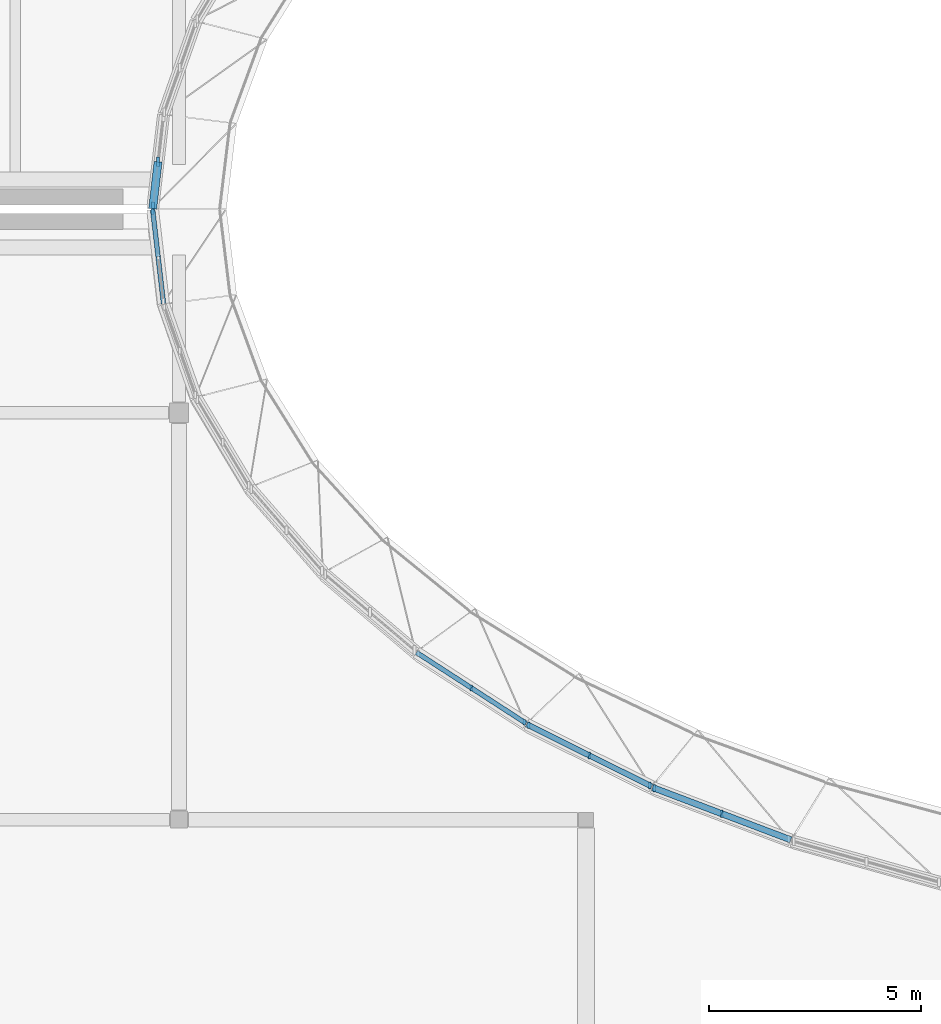
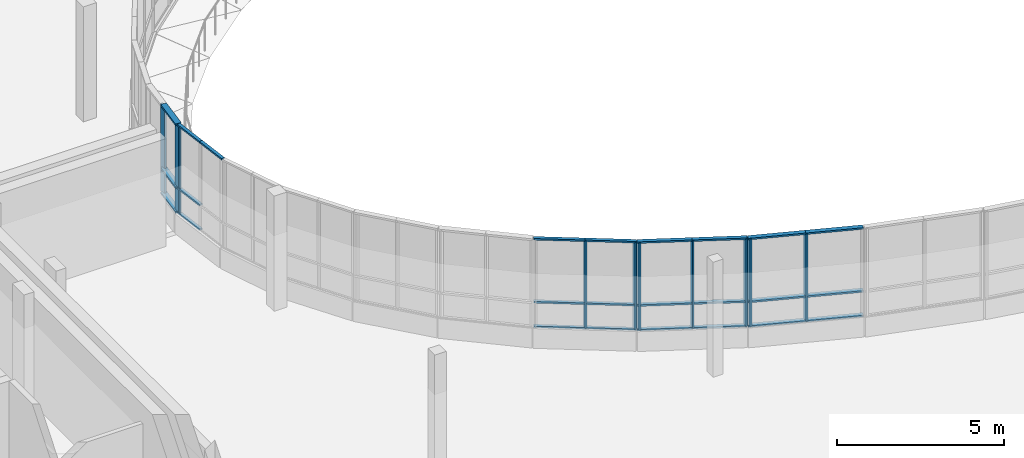
# One storey, part 12 of 73: 35 members, 5 elements without a shape of their own.
"""IFC4 building model written with IfcOpenShell, lengths in metres."""

from ifc_helpers import new_model, si_unit, direction, frame, origin, origin_2d, place, context, subcontext, project, spatial, rectangle, extrude, material, material_profile, profile_set, type_object, element, aggregate, save


model = new_model("IFC4")

# Units and contexts
model_context = context("Model", 3, precision=1e-05, world=origin(), true_north=direction((0.0, 1.0)))
body_context = subcontext(model_context, "Body", "Model", "MODEL_VIEW")
ifc_project = project(units=[si_unit("LENGTHUNIT", "METRE"), si_unit("AREAUNIT", "SQUARE_METRE"), si_unit("VOLUMEUNIT", "CUBIC_METRE"), si_unit("PLANEANGLEUNIT", "RADIAN"), si_unit("MASSUNIT", "GRAM", prefix="KILO")], contexts=[model_context])

# Site, building, storey
site_placement = place(None, origin())
site = spatial("IfcSite", under=ifc_project, at=site_placement, CompositionType="ELEMENT")
building_placement = place(site_placement, origin())
building = spatial("IfcBuilding", under=site, at=building_placement, Name="Mzevani Central Library", CompositionType="ELEMENT")
storey_placement = place(building_placement, frame((0.0, 0.0, 9.60009765625)))
storey = spatial("IfcBuildingStorey", under=building, at=storey_placement, Name="L02", CompositionType="ELEMENT", Elevation=9.60009765625)

# Curtain wall, member
ifc_material_1 = material(Name="Thermally broken aluminium and Low-E triple glazing", Category="aluminium")
curtain_wall_type_1 = type_object("IfcCurtainWallType", Name="Reading Hall Northlight Curtain Wall", PredefinedType="NOTDEFINED", material=ifc_material_1)
curtain_wall_1_placement = place(storey_placement, origin())
curtain_wall_1 = element("IfcCurtainWall", 1, at=curtain_wall_1_placement, inside=storey, type_object=curtain_wall_type_1, Name="L02 Elliptical Court Curtain Wall 25", PredefinedType="NOTDEFINED")
ifc_material_2 = material(Name="Thermally broken aluminium AW-6060", Category="aluminium")
ifc_material_profile_1 = material_profile(ifc_material_2, rectangle(XDim=0.06005859375, YDim=0.139892578125, at=origin_2d()), Name="ALU M60x140")
ifc_profile_set_1 = profile_set([ifc_material_profile_1], Name="Thermally broken aluminium AW-6060")
member_type_1 = type_object("IfcMemberType", Name="CW Mullion 60x140", PredefinedType="MULLION", material=ifc_profile_set_1)
member_1_placement = place(storey_placement, frame((53.785888671875, 75.942138671875, 0.719970703125), z_axis=(0.0, 0.0, 1.0), x_axis=(1.0, 0.0, 0.0)))
member_1 = element("IfcMember", 2, at=member_1_placement, type_object=member_type_1, Name="L02 Elliptical Court Curtain Wall 25 Mullion 1", PredefinedType="MULLION", context=body_context, shape_type="SweptSolid", body=[
    extrude(rectangle(XDim=0.06005859375, YDim=0.139892578125, at=origin_2d()), origin(), (0.0, 0.0, 1.0), 3.199951171875),
])

# Curtain wall, members
curtain_wall_type_2 = type_object("IfcCurtainWallType", Name="Elliptical Court Unitised Curtain Wall", PredefinedType="NOTDEFINED", material=ifc_material_1)
curtain_wall_2_placement = place(storey_placement, origin())
curtain_wall_2 = element("IfcCurtainWall", 3, at=curtain_wall_2_placement, inside=storey, type_object=curtain_wall_type_2, Name="L02 Elliptical Court Curtain Wall 30", PredefinedType="NOTDEFINED")
member_2_placement = place(storey_placement, frame((61.296142578125, 64.708984375, 0.719970703125), z_axis=(0.0, 0.0, 1.0), x_axis=(1.0, 0.0, 0.0)))
member_2 = element("IfcMember", 4, at=member_2_placement, type_object=member_type_1, Name="L02 Elliptical Court Curtain Wall 30 Mullion 2", PredefinedType="MULLION", context=body_context, shape_type="SweptSolid", body=[
    extrude(rectangle(XDim=0.06005859375, YDim=0.139892578125, at=origin_2d()), origin(), (0.0, 0.0, 1.0), 3.199951171875),
])
member_3_placement = place(storey_placement, frame((62.5478515625, 63.899658203125, 0.719970703125), z_axis=(0.0, 0.0, 1.0), x_axis=(1.0, 0.0, 0.0)))
member_3 = element("IfcMember", 5, at=member_3_placement, type_object=member_type_1, Name="L02 Elliptical Court Curtain Wall 30 Mullion 3", PredefinedType="MULLION", context=body_context, shape_type="SweptSolid", body=[
    extrude(rectangle(XDim=0.06005859375, YDim=0.139892578125, at=origin_2d()), origin(), (0.0, 0.0, 1.0), 3.199951171875),
])

curtain_wall_3_placement = place(storey_placement, origin())
curtain_wall_3 = element("IfcCurtainWall", 6, at=curtain_wall_3_placement, inside=storey, type_object=curtain_wall_type_1, Name="L02 Elliptical Court Curtain Wall 31", PredefinedType="NOTDEFINED")
ifc_material_profile_2 = material_profile(ifc_material_2, rectangle(XDim=0.06005859375, YDim=0.159912109375, at=origin_2d()), Name="ALU M60x160")
ifc_profile_set_2 = profile_set([ifc_material_profile_2], Name="Thermally broken aluminium AW-6060")
member_type_2 = type_object("IfcMemberType", Name="CW Mullion 60x160", PredefinedType="MULLION", material=ifc_profile_set_2)
member_4_placement = place(storey_placement, frame((62.64697265625, 63.828857421875, 0.719970703125), z_axis=(0.0, 0.0, 1.0), x_axis=(1.0, 0.0, 0.0)))
member_4 = element("IfcMember", 7, at=member_4_placement, type_object=member_type_2, Name="L02 Elliptical Court Curtain Wall 31 Mullion 1", PredefinedType="MULLION", context=body_context, shape_type="SweptSolid", body=[
    extrude(rectangle(XDim=0.06005859375, YDim=0.159912109375, at=origin_2d()), origin(), (0.0, 0.0, 1.0), 3.199951171875),
])
member_5_placement = place(storey_placement, frame((64.0771484375, 63.117431640625, 0.719970703125), z_axis=(0.0, 0.0, 1.0), x_axis=(1.0, 0.0, 0.0)))
member_5 = element("IfcMember", 8, at=member_5_placement, type_object=member_type_2, Name="L02 Elliptical Court Curtain Wall 31 Mullion 2", PredefinedType="MULLION", context=body_context, shape_type="SweptSolid", body=[
    extrude(rectangle(XDim=0.06005859375, YDim=0.159912109375, at=origin_2d()), origin(), (0.0, 0.0, 1.0), 3.199951171875),
])
member_6_placement = place(storey_placement, frame((65.507568359375, 62.406005859375, 0.719970703125), z_axis=(0.0, 0.0, 1.0), x_axis=(1.0, 0.0, 0.0)))
member_6 = element("IfcMember", 9, at=member_6_placement, type_object=member_type_2, Name="L02 Elliptical Court Curtain Wall 31 Mullion 3", PredefinedType="MULLION", context=body_context, shape_type="SweptSolid", body=[
    extrude(rectangle(XDim=0.06005859375, YDim=0.159912109375, at=origin_2d()), origin(), (0.0, 0.0, 1.0), 3.199951171875),
])

curtain_wall_4_placement = place(storey_placement, origin())
curtain_wall_4 = element("IfcCurtainWall", 10, at=curtain_wall_4_placement, inside=storey, type_object=curtain_wall_type_2, Name="L02 Elliptical Court Curtain Wall 32", PredefinedType="NOTDEFINED")
ifc_material_profile_3 = material_profile(ifc_material_2, rectangle(XDim=0.06005859375, YDim=0.179931640625, at=origin_2d()), Name="ALU M60x180")
ifc_profile_set_3 = profile_set([ifc_material_profile_3], Name="Thermally broken aluminium AW-6060")
member_type_3 = type_object("IfcMemberType", Name="CW Mullion 60x180", PredefinedType="MULLION", material=ifc_profile_set_3)
member_7_placement = place(storey_placement, frame((65.6162109375, 62.34326171875, 0.719970703125), z_axis=(0.0, 0.0, 1.0), x_axis=(1.0, 0.0, 0.0)))
member_7 = element("IfcMember", 11, at=member_7_placement, type_object=member_type_3, Name="L02 Elliptical Court Curtain Wall 32 Mullion 1", PredefinedType="MULLION", context=body_context, shape_type="SweptSolid", body=[
    extrude(rectangle(XDim=0.06005859375, YDim=0.179931640625, at=origin_2d()), origin(), (0.0, 0.0, 1.0), 3.199951171875),
])
member_8_placement = place(storey_placement, frame((67.200927734375, 61.74267578125, 0.719970703125), z_axis=(0.0, 0.0, 1.0), x_axis=(1.0, 0.0, 0.0)))
member_8 = element("IfcMember", 12, at=member_8_placement, type_object=member_type_3, Name="L02 Elliptical Court Curtain Wall 32 Mullion 2", PredefinedType="MULLION", context=body_context, shape_type="SweptSolid", body=[
    extrude(rectangle(XDim=0.06005859375, YDim=0.179931640625, at=origin_2d()), origin(), (0.0, 0.0, 1.0), 3.199951171875),
])

curtain_wall_5_placement = place(storey_placement, origin())
curtain_wall_5 = element("IfcCurtainWall", 13, at=curtain_wall_5_placement, inside=storey, type_object=curtain_wall_type_2, Name="L02 Elliptical Court Curtain Wall 24", PredefinedType="NOTDEFINED")
ifc_material_profile_4 = material_profile(ifc_material_2, rectangle(XDim=0.070068359375, YDim=0.219970703125, at=origin_2d()), Name="ALU M70x220")
ifc_profile_set_4 = profile_set([ifc_material_profile_4], Name="Thermally broken aluminium AW-6060")
member_type_4 = type_object("IfcMemberType", Name="CW Mullion 70x220", PredefinedType="MULLION", material=ifc_profile_set_4)
member_9_placement = place(storey_placement, frame((53.908447265625, 77.118408203125, 0.719970703125), z_axis=(0.0, 0.0, 1.0), x_axis=(1.0, 0.0, 0.0)))
member_9 = element("IfcMember", 14, at=member_9_placement, type_object=member_type_4, Name="L02 Elliptical Court Curtain Wall 24 Mullion 2", PredefinedType="MULLION", context=body_context, shape_type="SweptSolid", body=[
    extrude(rectangle(XDim=0.070068359375, YDim=0.219970703125, at=origin_2d()), origin(), (0.0, 0.0, 1.0), 3.199951171875),
])
member_10_placement = place(storey_placement, frame((53.785888671875, 76.057861328125, 0.719970703125), z_axis=(0.0, 0.0, 1.0), x_axis=(1.0, 0.0, 0.0)))
member_10 = element("IfcMember", 15, at=member_10_placement, type_object=member_type_4, Name="L02 Elliptical Court Curtain Wall 24 Mullion 3", PredefinedType="MULLION", context=body_context, shape_type="SweptSolid", body=[
    extrude(rectangle(XDim=0.070068359375, YDim=0.219970703125, at=origin_2d()), origin(), (0.0, 0.0, 1.0), 3.199951171875),
])

# Member
ifc_material_profile_5 = material_profile(ifc_material_2, rectangle(XDim=0.110107421875, YDim=0.06005859375, at=origin_2d()), Name="ALU T60x110")
ifc_profile_set_5 = profile_set([ifc_material_profile_5], Name="Thermally broken aluminium AW-6060")
member_type_5 = type_object("IfcMemberType", Name="CW Transom 60x110", PredefinedType="USERDEFINED", material=ifc_profile_set_5)
member_11_placement = place(storey_placement, frame((53.7802734375, 75.99169921875, 0.719970703125), z_axis=(0.114698739584, -0.993400321692, 0.0), x_axis=(0.993400321692, 0.114698739584, 0.0)))
member_11 = element("IfcMember", 16, at=member_11_placement, type_object=member_type_5, Name="L02 Elliptical Court Curtain Wall 25 Transom 1", ObjectType="TRANSOM", PredefinedType="USERDEFINED", context=body_context, shape_type="SweptSolid", body=[
    extrude(rectangle(XDim=0.110107421875, YDim=0.06005859375, at=origin_2d()), origin(), (0.0, 0.0, 1.0), 1.117431640625),
])

member_12_placement = place(storey_placement, frame((53.7802734375, 75.99169921875, 1.619873046875), z_axis=(0.114698739584, -0.993400321692, 0.0), x_axis=(0.993400321692, 0.114698739584, 0.0)))
member_12 = element("IfcMember", 17, at=member_12_placement, type_object=member_type_5, Name="L02 Elliptical Court Curtain Wall 25 Transom 2", ObjectType="TRANSOM", PredefinedType="USERDEFINED", context=body_context, shape_type="SweptSolid", body=[
    extrude(rectangle(XDim=0.110107421875, YDim=0.06005859375, at=origin_2d()), origin(), (0.0, 0.0, 1.0), 1.117431640625),
])

member_13_placement = place(storey_placement, frame((53.7802734375, 75.99169921875, 3.919921875), z_axis=(0.114698739584, -0.993400321692, 0.0), x_axis=(0.993400321692, 0.114698739584, 0.0)))
member_13 = element("IfcMember", 18, at=member_13_placement, type_object=member_type_5, Name="L02 Elliptical Court Curtain Wall 25 Transom 3", ObjectType="TRANSOM", PredefinedType="USERDEFINED", context=body_context, shape_type="SweptSolid", body=[
    extrude(rectangle(XDim=0.110107421875, YDim=0.06005859375, at=origin_2d()), origin(), (0.0, 0.0, 1.0), 1.117431640625),
])

member_14_placement = place(storey_placement, frame((53.908447265625, 74.881591796875, 3.919921875), z_axis=(0.114889397614, -0.993378289634, 0.0), x_axis=(0.993378289634, 0.114889397614, 0.0)))
member_14 = element("IfcMember", 19, at=member_14_placement, type_object=member_type_5, Name="L02 Elliptical Court Curtain Wall 25 Transom 6", ObjectType="TRANSOM", PredefinedType="USERDEFINED", context=body_context, shape_type="SweptSolid", body=[
    extrude(rectangle(XDim=0.110107421875, YDim=0.06005859375, at=origin_2d()), origin(), (0.0, 0.0, 1.0), 1.11767578125),
])

aggregate(curtain_wall_1, [member_1, member_11, member_12, member_13, member_14])

member_15_placement = place(storey_placement, frame((60.00244140625, 65.545654296875, 0.719970703125), z_axis=(0.839697677744, -0.543054150147, 0.0), x_axis=(0.543054150147, 0.839697677744, 0.0)))
member_15 = element("IfcMember", 20, at=member_15_placement, type_object=member_type_5, Name="L02 Elliptical Court Curtain Wall 30 Transom 1", ObjectType="TRANSOM", PredefinedType="USERDEFINED", context=body_context, shape_type="SweptSolid", body=[
    extrude(rectangle(XDim=0.110107421875, YDim=0.06005859375, at=origin_2d()), origin(), (0.0, 0.0, 1.0), 1.540771484375),
])

member_16_placement = place(storey_placement, frame((60.00244140625, 65.545654296875, 1.619873046875), z_axis=(0.839697677744, -0.543054150147, 0.0), x_axis=(0.543054150147, 0.839697677744, 0.0)))
member_16 = element("IfcMember", 21, at=member_16_placement, type_object=member_type_5, Name="L02 Elliptical Court Curtain Wall 30 Transom 2", ObjectType="TRANSOM", PredefinedType="USERDEFINED", context=body_context, shape_type="SweptSolid", body=[
    extrude(rectangle(XDim=0.110107421875, YDim=0.06005859375, at=origin_2d()), origin(), (0.0, 0.0, 1.0), 1.540771484375),
])

member_17_placement = place(storey_placement, frame((60.00244140625, 65.545654296875, 3.919921875), z_axis=(0.839697677744, -0.543054150147, 0.0), x_axis=(0.543054150147, 0.839697677744, 0.0)))
member_17 = element("IfcMember", 22, at=member_17_placement, type_object=member_type_5, Name="L02 Elliptical Court Curtain Wall 30 Transom 3", ObjectType="TRANSOM", PredefinedType="USERDEFINED", context=body_context, shape_type="SweptSolid", body=[
    extrude(rectangle(XDim=0.110107421875, YDim=0.06005859375, at=origin_2d()), origin(), (0.0, 0.0, 1.0), 1.540771484375),
])

member_18_placement = place(storey_placement, frame((61.296142578125, 64.708984375, 0.719970703125), z_axis=(0.839769936055, -0.542942404402, 0.0), x_axis=(0.542942404402, 0.839769936055, 0.0)))
member_18 = element("IfcMember", 23, at=member_18_placement, type_object=member_type_5, Name="L02 Elliptical Court Curtain Wall 30 Transom 4", ObjectType="TRANSOM", PredefinedType="USERDEFINED", context=body_context, shape_type="SweptSolid", body=[
    extrude(rectangle(XDim=0.110107421875, YDim=0.06005859375, at=origin_2d()), origin(), (0.0, 0.0, 1.0), 1.54052734375),
])

member_19_placement = place(storey_placement, frame((61.296142578125, 64.708984375, 1.619873046875), z_axis=(0.839769936055, -0.542942404402, 0.0), x_axis=(0.542942404402, 0.839769936055, 0.0)))
member_19 = element("IfcMember", 24, at=member_19_placement, type_object=member_type_5, Name="L02 Elliptical Court Curtain Wall 30 Transom 5", ObjectType="TRANSOM", PredefinedType="USERDEFINED", context=body_context, shape_type="SweptSolid", body=[
    extrude(rectangle(XDim=0.110107421875, YDim=0.06005859375, at=origin_2d()), origin(), (0.0, 0.0, 1.0), 1.54052734375),
])

member_20_placement = place(storey_placement, frame((61.296142578125, 64.708984375, 3.919921875), z_axis=(0.839769936055, -0.542942404402, 0.0), x_axis=(0.542942404402, 0.839769936055, 0.0)))
member_20 = element("IfcMember", 25, at=member_20_placement, type_object=member_type_5, Name="L02 Elliptical Court Curtain Wall 30 Transom 6", ObjectType="TRANSOM", PredefinedType="USERDEFINED", context=body_context, shape_type="SweptSolid", body=[
    extrude(rectangle(XDim=0.110107421875, YDim=0.06005859375, at=origin_2d()), origin(), (0.0, 0.0, 1.0), 1.54052734375),
])

aggregate(curtain_wall_2, [member_2, member_3, member_15, member_16, member_17, member_18, member_19, member_20])

ifc_material_profile_6 = material_profile(ifc_material_2, rectangle(XDim=0.1298828125, YDim=0.06005859375, at=origin_2d()), Name="ALU T60x130")
ifc_profile_set_6 = profile_set([ifc_material_profile_6], Name="Thermally broken aluminium AW-6060")
member_type_6 = type_object("IfcMemberType", Name="CW Transom 60x130", PredefinedType="USERDEFINED", material=ifc_profile_set_6)
member_21_placement = place(storey_placement, frame((62.60205078125, 63.85107421875, 0.719970703125), z_axis=(0.895373605823, -0.445315737421, 0.0), x_axis=(0.445315737421, 0.895373605823, 0.0)))
member_21 = element("IfcMember", 26, at=member_21_placement, type_object=member_type_6, Name="L02 Elliptical Court Curtain Wall 31 Transom 1", ObjectType="TRANSOM", PredefinedType="USERDEFINED", context=body_context, shape_type="SweptSolid", body=[
    extrude(rectangle(XDim=0.1298828125, YDim=0.06005859375, at=origin_2d()), origin(), (0.0, 0.0, 1.0), 1.6474609375),
])

member_22_placement = place(storey_placement, frame((62.60205078125, 63.85107421875, 1.619873046875), z_axis=(0.895373605823, -0.445315737421, 0.0), x_axis=(0.445315737421, 0.895373605823, 0.0)))
member_22 = element("IfcMember", 27, at=member_22_placement, type_object=member_type_6, Name="L02 Elliptical Court Curtain Wall 31 Transom 2", ObjectType="TRANSOM", PredefinedType="USERDEFINED", context=body_context, shape_type="SweptSolid", body=[
    extrude(rectangle(XDim=0.1298828125, YDim=0.06005859375, at=origin_2d()), origin(), (0.0, 0.0, 1.0), 1.6474609375),
])

member_23_placement = place(storey_placement, frame((62.60205078125, 63.85107421875, 3.919921875), z_axis=(0.895373605823, -0.445315737421, 0.0), x_axis=(0.445315737421, 0.895373605823, 0.0)))
member_23 = element("IfcMember", 28, at=member_23_placement, type_object=member_type_6, Name="L02 Elliptical Court Curtain Wall 31 Transom 3", ObjectType="TRANSOM", PredefinedType="USERDEFINED", context=body_context, shape_type="SweptSolid", body=[
    extrude(rectangle(XDim=0.1298828125, YDim=0.06005859375, at=origin_2d()), origin(), (0.0, 0.0, 1.0), 1.6474609375),
])

member_24_placement = place(storey_placement, frame((64.0771484375, 63.117431640625, 0.719970703125), z_axis=(0.895402987273, -0.445256656753, 0.0), x_axis=(0.445256656753, 0.895402987273, 0.0)))
member_24 = element("IfcMember", 29, at=member_24_placement, type_object=member_type_6, Name="L02 Elliptical Court Curtain Wall 31 Transom 4", ObjectType="TRANSOM", PredefinedType="USERDEFINED", context=body_context, shape_type="SweptSolid", body=[
    extrude(rectangle(XDim=0.1298828125, YDim=0.06005859375, at=origin_2d()), origin(), (0.0, 0.0, 1.0), 1.647705078125),
])

member_25_placement = place(storey_placement, frame((64.0771484375, 63.117431640625, 1.619873046875), z_axis=(0.895402987273, -0.445256656753, 0.0), x_axis=(0.445256656753, 0.895402987273, 0.0)))
member_25 = element("IfcMember", 30, at=member_25_placement, type_object=member_type_6, Name="L02 Elliptical Court Curtain Wall 31 Transom 5", ObjectType="TRANSOM", PredefinedType="USERDEFINED", context=body_context, shape_type="SweptSolid", body=[
    extrude(rectangle(XDim=0.1298828125, YDim=0.06005859375, at=origin_2d()), origin(), (0.0, 0.0, 1.0), 1.647705078125),
])

member_26_placement = place(storey_placement, frame((64.0771484375, 63.117431640625, 3.919921875), z_axis=(0.895402987273, -0.445256656753, 0.0), x_axis=(0.445256656753, 0.895402987273, 0.0)))
member_26 = element("IfcMember", 31, at=member_26_placement, type_object=member_type_6, Name="L02 Elliptical Court Curtain Wall 31 Transom 6", ObjectType="TRANSOM", PredefinedType="USERDEFINED", context=body_context, shape_type="SweptSolid", body=[
    extrude(rectangle(XDim=0.1298828125, YDim=0.06005859375, at=origin_2d()), origin(), (0.0, 0.0, 1.0), 1.647705078125),
])

aggregate(curtain_wall_3, [member_4, member_5, member_6, member_21, member_22, member_23, member_24, member_25, member_26])

ifc_material_profile_7 = material_profile(ifc_material_2, rectangle(XDim=0.14990234375, YDim=0.06005859375, at=origin_2d()), Name="ALU T60x150")
ifc_profile_set_7 = profile_set([ifc_material_profile_7], Name="Thermally broken aluminium AW-6060")
member_type_7 = type_object("IfcMemberType", Name="CW Transom 60x150", PredefinedType="USERDEFINED", material=ifc_profile_set_7)
member_27_placement = place(storey_placement, frame((65.5693359375, 62.36083984375, 0.719970703125), z_axis=(0.935133457498, -0.354295662784, 0.0), x_axis=(0.354295662784, 0.935133457498, 0.0)))
member_27 = element("IfcMember", 32, at=member_27_placement, type_object=member_type_7, Name="L02 Elliptical Court Curtain Wall 32 Transom 1", ObjectType="TRANSOM", PredefinedType="USERDEFINED", context=body_context, shape_type="SweptSolid", body=[
    extrude(rectangle(XDim=0.14990234375, YDim=0.06005859375, at=origin_2d()), origin(), (0.0, 0.0, 1.0), 1.744873046875),
])

member_28_placement = place(storey_placement, frame((65.5693359375, 62.36083984375, 1.619873046875), z_axis=(0.935133457498, -0.354295662784, 0.0), x_axis=(0.354295662784, 0.935133457498, 0.0)))
member_28 = element("IfcMember", 33, at=member_28_placement, type_object=member_type_7, Name="L02 Elliptical Court Curtain Wall 32 Transom 2", ObjectType="TRANSOM", PredefinedType="USERDEFINED", context=body_context, shape_type="SweptSolid", body=[
    extrude(rectangle(XDim=0.14990234375, YDim=0.06005859375, at=origin_2d()), origin(), (0.0, 0.0, 1.0), 1.744873046875),
])

member_29_placement = place(storey_placement, frame((65.5693359375, 62.36083984375, 3.919921875), z_axis=(0.935133457498, -0.354295662784, 0.0), x_axis=(0.354295662784, 0.935133457498, 0.0)))
member_29 = element("IfcMember", 34, at=member_29_placement, type_object=member_type_7, Name="L02 Elliptical Court Curtain Wall 32 Transom 3", ObjectType="TRANSOM", PredefinedType="USERDEFINED", context=body_context, shape_type="SweptSolid", body=[
    extrude(rectangle(XDim=0.14990234375, YDim=0.06005859375, at=origin_2d()), origin(), (0.0, 0.0, 1.0), 1.744873046875),
])

member_30_placement = place(storey_placement, frame((67.200927734375, 61.74267578125, 0.719970703125), z_axis=(0.93511588963, -0.354342028217, 0.0), x_axis=(0.354342028217, 0.93511588963, 0.0)))
member_30 = element("IfcMember", 35, at=member_30_placement, type_object=member_type_7, Name="L02 Elliptical Court Curtain Wall 32 Transom 4", ObjectType="TRANSOM", PredefinedType="USERDEFINED", context=body_context, shape_type="SweptSolid", body=[
    extrude(rectangle(XDim=0.14990234375, YDim=0.06005859375, at=origin_2d()), origin(), (0.0, 0.0, 1.0), 1.74462890625),
])

member_31_placement = place(storey_placement, frame((67.200927734375, 61.74267578125, 1.619873046875), z_axis=(0.93511588963, -0.354342028217, 0.0), x_axis=(0.354342028217, 0.93511588963, 0.0)))
member_31 = element("IfcMember", 36, at=member_31_placement, type_object=member_type_7, Name="L02 Elliptical Court Curtain Wall 32 Transom 5", ObjectType="TRANSOM", PredefinedType="USERDEFINED", context=body_context, shape_type="SweptSolid", body=[
    extrude(rectangle(XDim=0.14990234375, YDim=0.06005859375, at=origin_2d()), origin(), (0.0, 0.0, 1.0), 1.74462890625),
])

member_32_placement = place(storey_placement, frame((67.200927734375, 61.74267578125, 3.919921875), z_axis=(0.93511588963, -0.354342028217, 0.0), x_axis=(0.354342028217, 0.93511588963, 0.0)))
member_32 = element("IfcMember", 37, at=member_32_placement, type_object=member_type_7, Name="L02 Elliptical Court Curtain Wall 32 Transom 6", ObjectType="TRANSOM", PredefinedType="USERDEFINED", context=body_context, shape_type="SweptSolid", body=[
    extrude(rectangle(XDim=0.14990234375, YDim=0.06005859375, at=origin_2d()), origin(), (0.0, 0.0, 1.0), 1.74462890625),
])

aggregate(curtain_wall_4, [member_7, member_8, member_27, member_28, member_29, member_30, member_31, member_32])

ifc_material_profile_8 = material_profile(ifc_material_2, rectangle(XDim=0.18994140625, YDim=0.070068359375, at=origin_2d()), Name="ALU T70x190")
ifc_profile_set_8 = profile_set([ifc_material_profile_8], Name="Thermally broken aluminium AW-6060")
member_type_8 = type_object("IfcMemberType", Name="CW Transom 70x190", PredefinedType="USERDEFINED", material=ifc_profile_set_8)
member_33_placement = place(storey_placement, frame((53.908447265625, 77.118408203125, 0.719970703125), z_axis=(-0.114698739584, -0.993400321692, 0.0), x_axis=(0.993400321692, -0.114698739584, 0.0)))
member_33 = element("IfcMember", 38, at=member_33_placement, type_object=member_type_8, Name="L02 Elliptical Court Curtain Wall 24 Transom 4", ObjectType="TRANSOM", PredefinedType="USERDEFINED", context=body_context, shape_type="SweptSolid", body=[
    extrude(rectangle(XDim=0.18994140625, YDim=0.070068359375, at=origin_2d()), origin(), (0.0, 0.0, 1.0), 1.117431640625),
])

member_34_placement = place(storey_placement, frame((53.908447265625, 77.118408203125, 1.619873046875), z_axis=(-0.114698739584, -0.993400321692, 0.0), x_axis=(0.993400321692, -0.114698739584, 0.0)))
member_34 = element("IfcMember", 39, at=member_34_placement, type_object=member_type_8, Name="L02 Elliptical Court Curtain Wall 24 Transom 5", ObjectType="TRANSOM", PredefinedType="USERDEFINED", context=body_context, shape_type="SweptSolid", body=[
    extrude(rectangle(XDim=0.18994140625, YDim=0.070068359375, at=origin_2d()), origin(), (0.0, 0.0, 1.0), 1.117431640625),
])

member_35_placement = place(storey_placement, frame((53.908447265625, 77.118408203125, 3.919921875), z_axis=(-0.114698739584, -0.993400321692, 0.0), x_axis=(0.993400321692, -0.114698739584, 0.0)))
member_35 = element("IfcMember", 40, at=member_35_placement, type_object=member_type_8, Name="L02 Elliptical Court Curtain Wall 24 Transom 6", ObjectType="TRANSOM", PredefinedType="USERDEFINED", context=body_context, shape_type="SweptSolid", body=[
    extrude(rectangle(XDim=0.18994140625, YDim=0.070068359375, at=origin_2d()), origin(), (0.0, 0.0, 1.0), 1.117431640625),
])

aggregate(curtain_wall_5, [member_9, member_10, member_33, member_34, member_35])

save(model, "model.ifc")
